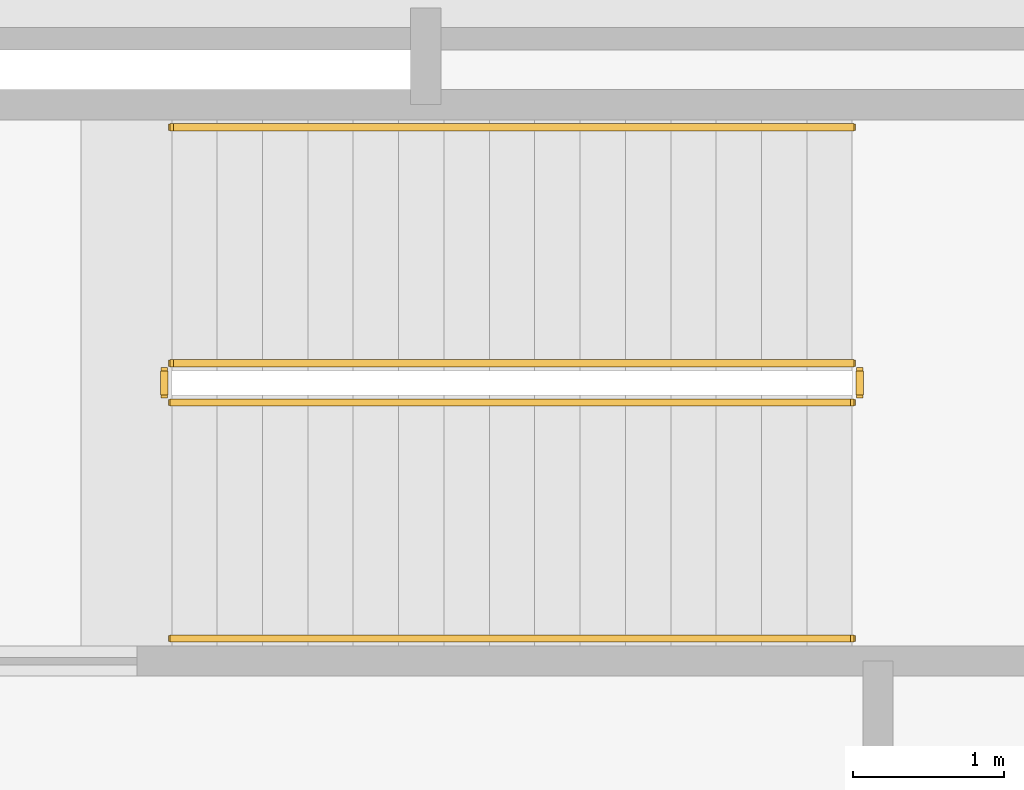
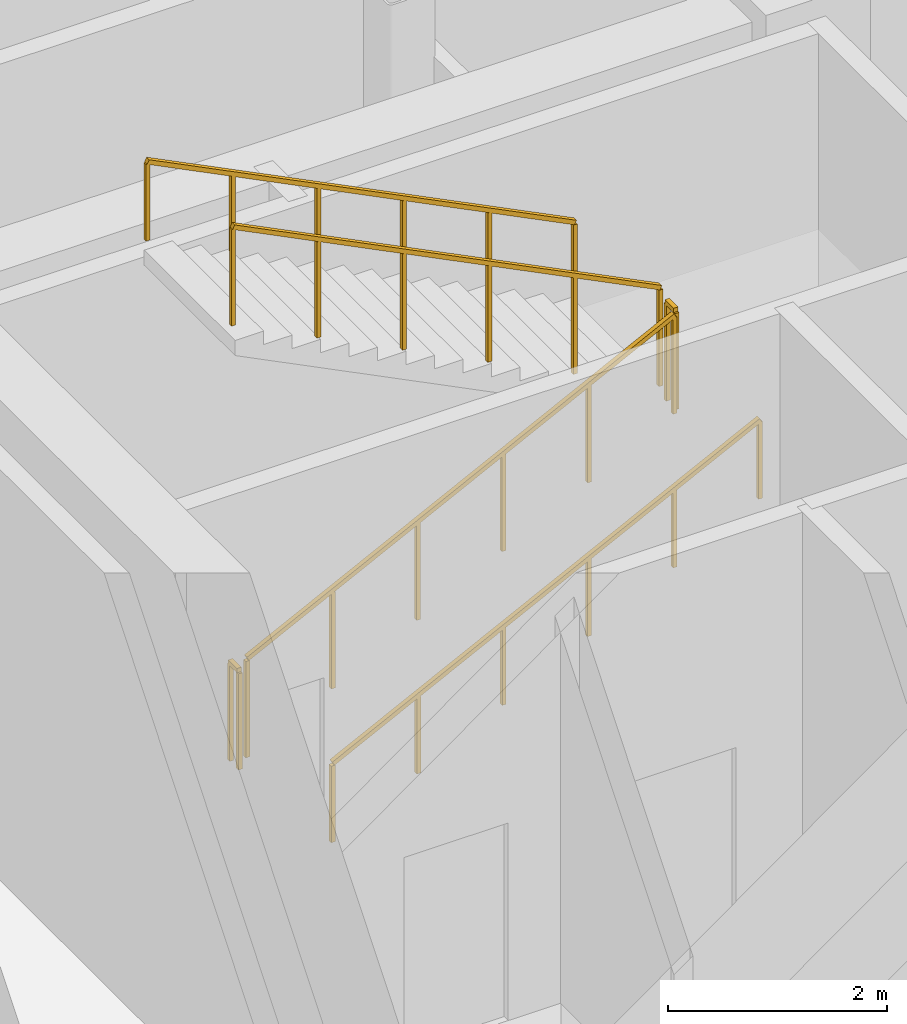
# One storey, part 23 of 25: 6 railings.
"""IFC4 building model written with IfcOpenShell, lengths in metres."""

from ifc_helpers import new_model, si_unit, direction, frame, origin, origin_2d, place, context, subcontext, project, spatial, rectangle, extrude, material, type_object, element, save


model = new_model("IFC4")

# Units and contexts
model_context = context("Model", 3, precision=1e-05, world=origin(), true_north=direction((0.0, 1.0)))
body_context = subcontext(model_context, "Body", "Model", "MODEL_VIEW")
ifc_project = project(units=[si_unit("LENGTHUNIT", "METRE"), si_unit("AREAUNIT", "SQUARE_METRE"), si_unit("VOLUMEUNIT", "CUBIC_METRE"), si_unit("PLANEANGLEUNIT", "RADIAN"), si_unit("MASSUNIT", "GRAM", prefix="KILO"), si_unit("THERMODYNAMICTEMPERATUREUNIT", "KELVIN"), si_unit("POWERUNIT", "WATT")], contexts=[model_context])

# Site, building, storey
site_placement = place(None, origin())
site = spatial("IfcSite", under=ifc_project, at=site_placement, CompositionType="ELEMENT")
building_placement = place(site_placement, origin())
building = spatial("IfcBuilding", under=site, at=building_placement, Name="Svarakhadi Broadcast Tower", CompositionType="ELEMENT")
storey_placement = place(building_placement, frame((0.0, 0.0, 110.85009765625)))
storey = spatial("IfcBuildingStorey", under=building, at=storey_placement, Name="L26", CompositionType="ELEMENT", Elevation=110.85009765625)

# Railings
ifc_material = material(Name="Anodised Bronze Aluminium AA 6063-T6", Category="aluminium")
railing_type_1 = type_object("IfcRailingType", Name="Guard_Stair_GR01", PredefinedType="GUARDRAIL", material=ifc_material)
railing_1_placement = place(storey_placement, frame((7.97998046875, 24.969970703125, 0.14990234375)))
element("IfcRailing", 1, at=railing_1_placement, inside=storey, type_object=railing_type_1, Name="L26 ST-01 stair guard 1", PredefinedType="GUARDRAIL", context=body_context, shape_type="SweptSolid", body=[
    extrude(rectangle(XDim=0.048095703125, YDim=0.048095703125, at=origin_2d()), frame((0.0, 0.0, 1.09619140625), z_axis=(0.894427191, 0.0, 0.4472135955), x_axis=(0.0, 1.0, 0.0)), (0.0, 0.0, 1.0), 5.03125),
    extrude(rectangle(XDim=0.0419921875, YDim=0.0419921875, at=origin_2d()), origin(), (0.0, 0.0, 1.0), 1.072021484375),
    extrude(rectangle(XDim=0.0419921875, YDim=0.0419921875, at=origin_2d()), frame((0.89990234375, 0.0, 0.449951171875)), (0.0, 0.0, 1.0), 1.072021484375),
    extrude(rectangle(XDim=0.0419921875, YDim=0.0419921875, at=origin_2d()), frame((1.800048828125, 0.0, 0.89990234375)), (0.0, 0.0, 1.0), 1.072021484375),
    extrude(rectangle(XDim=0.0419921875, YDim=0.0419921875, at=origin_2d()), frame((2.699951171875, 0.0, 1.35009765625)), (0.0, 0.0, 1.0), 1.072021484375),
    extrude(rectangle(XDim=0.0419921875, YDim=0.0419921875, at=origin_2d()), frame((3.60009765625, 0.0, 1.800048828125)), (0.0, 0.0, 1.0), 1.072021484375),
    extrude(rectangle(XDim=0.0419921875, YDim=0.0419921875, at=origin_2d()), frame((4.5, 0.0, 2.25)), (0.0, 0.0, 1.0), 1.072021484375),
])
railing_2_placement = place(storey_placement, frame((12.530029296875, 25.02001953125, 2.39990234375)))
element("IfcRailing", 2, at=railing_2_placement, inside=storey, type_object=railing_type_1, Name="L26 ST-01 stair guard 2", PredefinedType="GUARDRAIL", context=body_context, shape_type="SweptSolid", body=[
    extrude(rectangle(XDim=0.048095703125, YDim=0.048095703125, at=origin_2d()), frame((0.0, 0.0, 1.09619140625), z_axis=(0.0, 1.0, 0.0), x_axis=(-1.0, 0.0, 0.0)), (0.0, 0.0, 1.0), 0.159912109375),
    extrude(rectangle(XDim=0.0419921875, YDim=0.0419921875, at=origin_2d()), origin(), (0.0, 0.0, 1.0), 1.072021484375),
    extrude(rectangle(XDim=0.0419921875, YDim=0.0419921875, at=origin_2d()), frame((0.0, 0.159912109375, 0.0)), (0.0, 0.0, 1.0), 1.072021484375),
])
railing_3_placement = place(storey_placement, frame((12.47998046875, 25.22998046875, 2.5498046875)))
element("IfcRailing", 3, at=railing_3_placement, inside=storey, type_object=railing_type_1, Name="L26 ST-01 stair guard 3", PredefinedType="GUARDRAIL", context=body_context, shape_type="SweptSolid", body=[
    extrude(rectangle(XDim=0.048095703125, YDim=0.048095703125, at=origin_2d()), frame((0.0, 0.0, 1.09619140625), z_axis=(-0.894427191, 0.0, 0.4472135955), x_axis=(0.0, -1.0, 0.0)), (0.0, 0.0, 1.0), 5.03125),
    extrude(rectangle(XDim=0.0419921875, YDim=0.0419921875, at=origin_2d()), origin(), (0.0, 0.0, 1.0), 1.072021484375),
    extrude(rectangle(XDim=0.0419921875, YDim=0.0419921875, at=origin_2d()), frame((-0.89990234375, 0.0, 0.449951171875)), (0.0, 0.0, 1.0), 1.072021484375),
    extrude(rectangle(XDim=0.0419921875, YDim=0.0419921875, at=origin_2d()), frame((-1.800048828125, 0.0, 0.89990234375)), (0.0, 0.0, 1.0), 1.072021484375),
    extrude(rectangle(XDim=0.0419921875, YDim=0.0419921875, at=origin_2d()), frame((-2.699951171875, 0.0, 1.35009765625)), (0.0, 0.0, 1.0), 1.072021484375),
    extrude(rectangle(XDim=0.0419921875, YDim=0.0419921875, at=origin_2d()), frame((-3.60009765625, 0.0, 1.800048828125)), (0.0, 0.0, 1.0), 1.072021484375),
    extrude(rectangle(XDim=0.0419921875, YDim=0.0419921875, at=origin_2d()), frame((-4.5, 0.0, 2.25)), (0.0, 0.0, 1.0), 1.072021484375),
])
railing_4_placement = place(storey_placement, frame((7.929931640625, 25.02001953125, 0.0)))
element("IfcRailing", 4, at=railing_4_placement, inside=storey, type_object=railing_type_1, Name="L26 ST-01 stair guard 4", PredefinedType="GUARDRAIL", context=body_context, shape_type="SweptSolid", body=[
    extrude(rectangle(XDim=0.048095703125, YDim=0.048095703125, at=origin_2d()), frame((0.0, 0.0, 1.09619140625), z_axis=(0.0, 1.0, 0.0), x_axis=(-1.0, 0.0, 0.0)), (0.0, 0.0, 1.0), 0.159912109375),
    extrude(rectangle(XDim=0.0419921875, YDim=0.0419921875, at=origin_2d()), origin(), (0.0, 0.0, 1.0), 1.072021484375),
    extrude(rectangle(XDim=0.0419921875, YDim=0.0419921875, at=origin_2d()), frame((0.0, 0.159912109375, 0.0)), (0.0, 0.0, 1.0), 1.072021484375),
])
railing_type_2 = type_object("IfcRailingType", Name="Handrail_Stair_HR01", PredefinedType="HANDRAIL", material=ifc_material)
railing_5_placement = place(storey_placement, frame((7.97998046875, 23.409912109375, 0.14990234375)))
element("IfcRailing", 5, at=railing_5_placement, inside=storey, type_object=railing_type_2, Name="L26 ST-01 stair handrail 1", PredefinedType="HANDRAIL", context=body_context, shape_type="SweptSolid", body=[
    extrude(rectangle(XDim=0.048095703125, YDim=0.048095703125, at=origin_2d()), frame((0.0, 0.0, 0.8759765625), z_axis=(0.894427191, 0.0, 0.4472135955), x_axis=(0.0, 1.0, 0.0)), (0.0, 0.0, 1.0), 5.03125),
    extrude(rectangle(XDim=0.0419921875, YDim=0.0419921875, at=origin_2d()), origin(), (0.0, 0.0, 1.0), 0.851806640625),
    extrude(rectangle(XDim=0.0419921875, YDim=0.0419921875, at=origin_2d()), frame((0.89990234375, 0.0, 0.449951171875)), (0.0, 0.0, 1.0), 0.851806640625),
    extrude(rectangle(XDim=0.0419921875, YDim=0.0419921875, at=origin_2d()), frame((1.800048828125, 0.0, 0.89990234375)), (0.0, 0.0, 1.0), 0.851806640625),
    extrude(rectangle(XDim=0.0419921875, YDim=0.0419921875, at=origin_2d()), frame((2.699951171875, 0.0, 1.35009765625)), (0.0, 0.0, 1.0), 0.851806640625),
    extrude(rectangle(XDim=0.0419921875, YDim=0.0419921875, at=origin_2d()), frame((3.60009765625, 0.0, 1.800048828125)), (0.0, 0.0, 1.0), 0.851806640625),
    extrude(rectangle(XDim=0.0419921875, YDim=0.0419921875, at=origin_2d()), frame((4.5, 0.0, 2.25)), (0.0, 0.0, 1.0), 0.851806640625),
])
railing_6_placement = place(storey_placement, frame((12.47998046875, 26.7900390625, 2.5498046875)))
element("IfcRailing", 6, at=railing_6_placement, inside=storey, type_object=railing_type_2, Name="L26 ST-01 stair handrail 2", PredefinedType="HANDRAIL", context=body_context, shape_type="SweptSolid", body=[
    extrude(rectangle(XDim=0.048095703125, YDim=0.048095703125, at=origin_2d()), frame((0.0, 0.0, 0.8759765625), z_axis=(-0.894427191, 0.0, 0.4472135955), x_axis=(0.0, -1.0, 0.0)), (0.0, 0.0, 1.0), 5.03125),
    extrude(rectangle(XDim=0.0419921875, YDim=0.0419921875, at=origin_2d()), origin(), (0.0, 0.0, 1.0), 0.851806640625),
    extrude(rectangle(XDim=0.0419921875, YDim=0.0419921875, at=origin_2d()), frame((-0.89990234375, 0.0, 0.449951171875)), (0.0, 0.0, 1.0), 0.851806640625),
    extrude(rectangle(XDim=0.0419921875, YDim=0.0419921875, at=origin_2d()), frame((-1.800048828125, 0.0, 0.89990234375)), (0.0, 0.0, 1.0), 0.851806640625),
    extrude(rectangle(XDim=0.0419921875, YDim=0.0419921875, at=origin_2d()), frame((-2.699951171875, 0.0, 1.35009765625)), (0.0, 0.0, 1.0), 0.851806640625),
    extrude(rectangle(XDim=0.0419921875, YDim=0.0419921875, at=origin_2d()), frame((-3.60009765625, 0.0, 1.800048828125)), (0.0, 0.0, 1.0), 0.851806640625),
    extrude(rectangle(XDim=0.0419921875, YDim=0.0419921875, at=origin_2d()), frame((-4.5, 0.0, 2.25)), (0.0, 0.0, 1.0), 0.851806640625),
])

save(model, "model.ifc")
